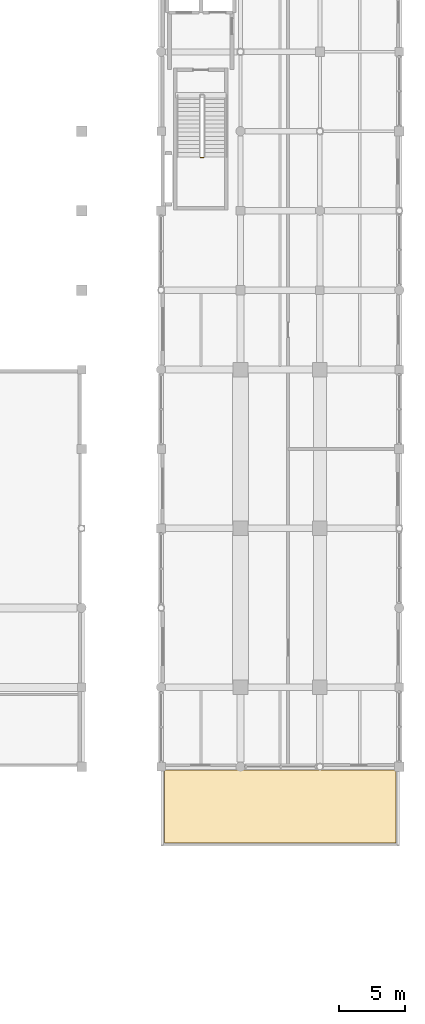
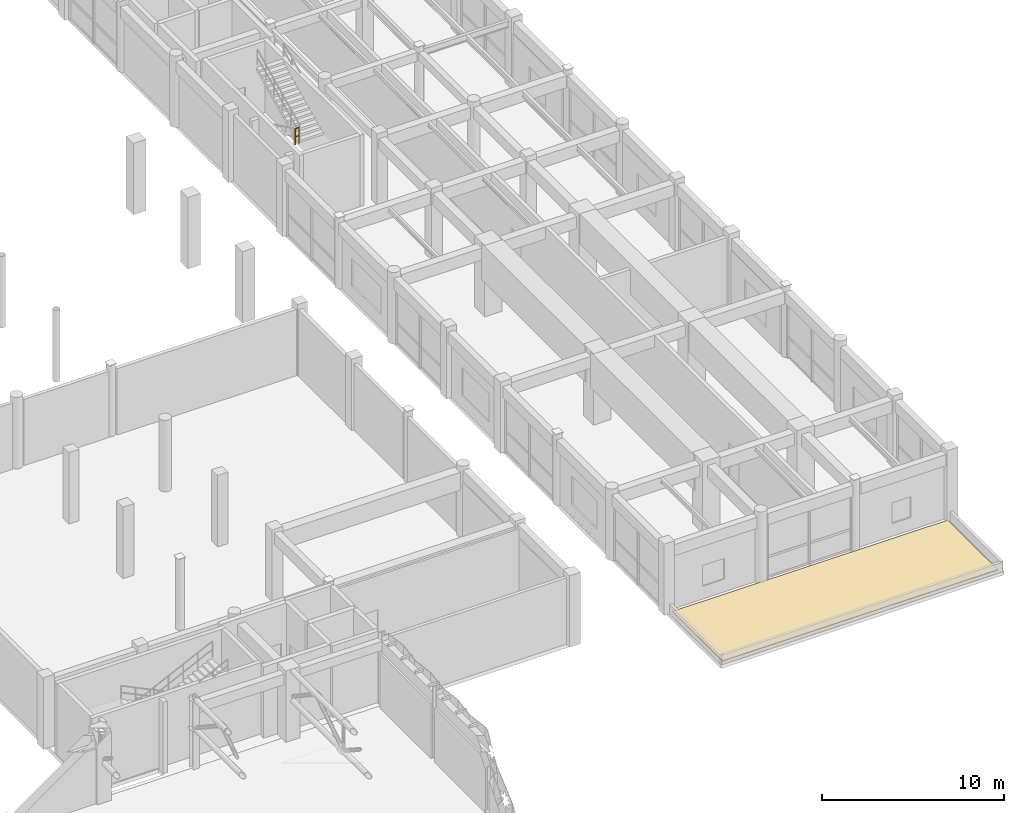
# One storey, part 122 of 123: 1 covering, 1 railing.
"""IFC4 building model written with IfcOpenShell, lengths in metres."""

from ifc_helpers import new_model, si_unit, direction, frame, origin, origin_2d, place, context, subcontext, project, spatial, polyline, circle, outline, extrude, material, layer, layer_set, type_object, element, save


model = new_model("IFC4")

# Units and contexts
model_context = context("Model", 3, precision=1e-05, world=origin(), true_north=direction((0.0, 1.0)))
body_context = subcontext(model_context, "Body", "Model", "MODEL_VIEW")
ifc_project = project(units=[si_unit("LENGTHUNIT", "METRE"), si_unit("AREAUNIT", "SQUARE_METRE"), si_unit("VOLUMEUNIT", "CUBIC_METRE"), si_unit("PLANEANGLEUNIT", "RADIAN"), si_unit("MASSUNIT", "GRAM", prefix="KILO"), si_unit("THERMODYNAMICTEMPERATUREUNIT", "KELVIN"), si_unit("POWERUNIT", "WATT")], contexts=[model_context])

# Site, building, storey
site_placement = place(None, origin())
site = spatial("IfcSite", under=ifc_project, at=site_placement, CompositionType="ELEMENT")
building_placement = place(site_placement, origin())
building = spatial("IfcBuilding", under=site, at=building_placement, Name="Phaisarnlok Congress Hotel", CompositionType="ELEMENT")
storey_placement = place(building_placement, frame((0.0, 0.0, 15.0)))
storey = spatial("IfcBuildingStorey", under=building, at=storey_placement, Name="L03", CompositionType="ELEMENT", Elevation=15.0)

# Covering
ifc_material_1 = material(Name="TPO Waterproofing Membrane & Rigid PIR Insulation", Category="other")
ifc_layer = layer(ifc_material_1, 0.050048828125, Name="TPO Waterproofing Membrane & Rigid PIR Insulation")
ifc_layer_set = layer_set([ifc_layer], Name="TPO Waterproofing Membrane & Rigid PIR Insulation")
covering_type = type_object("IfcCoveringType", Name="COV-ROOF-MEMB", PredefinedType="ROOFING", material=ifc_layer_set)
covering_placement = place(storey_placement, origin())
element("IfcCovering", 1, at=covering_placement, inside=storey, type_object=covering_type, Name="Podium roof waterproofing membrane RF-01 (L03 pod_kit_se)", PredefinedType="ROOFING", context=body_context, shape_type="SweptSolid", body=[
    extrude(outline(polyline([(162.25, 30.25), (179.75, 30.25), (179.75, 35.75), (162.25, 35.75), (162.25, 30.25)])), origin(), (0.0, 0.0, 1.0), 0.050048828125),
])

# Railing
ifc_material_2 = material(Name="Painted Galvanised Steel S275", Category="steel")
railing_type = type_object("IfcRailingType", Name="RLG-STR-GUARD", PredefinedType="BALUSTRADE", material=ifc_material_2)
railing_placement = place(storey_placement, frame((164.97998046875, 82.02001953125, 2.39990234375)))
element("IfcRailing", 2, at=railing_placement, inside=storey, type_object=railing_type, Name="L03 ST-09 stair guard 2", PredefinedType="BALUSTRADE", context=body_context, shape_type="SweptSolid", body=[
    extrude(circle(Radius=0.02392578125, at=origin_2d()), frame((0.0, 0.0, 1.076171875), z_axis=(1.0, 0.0, 0.0), x_axis=(0.0, 1.0, 0.0)), (0.0, 0.0, 1.0), 0.239990234375),
    extrude(circle(Radius=0.02392578125, at=origin_2d()), frame((0.0, 0.0, 0.52587890625), z_axis=(1.0, 0.0, 0.0), x_axis=(0.0, 1.0, 0.0)), (0.0, 0.0, 1.0), 0.239990234375),
    extrude(circle(Radius=0.02099609375, at=origin_2d()), origin(), (0.0, 0.0, 1.0), 1.052001953125),
    extrude(circle(Radius=0.02099609375, at=origin_2d()), frame((0.239990234375, 0.0, 0.0)), (0.0, 0.0, 1.0), 1.052001953125),
])

save(model, "model.ifc")
